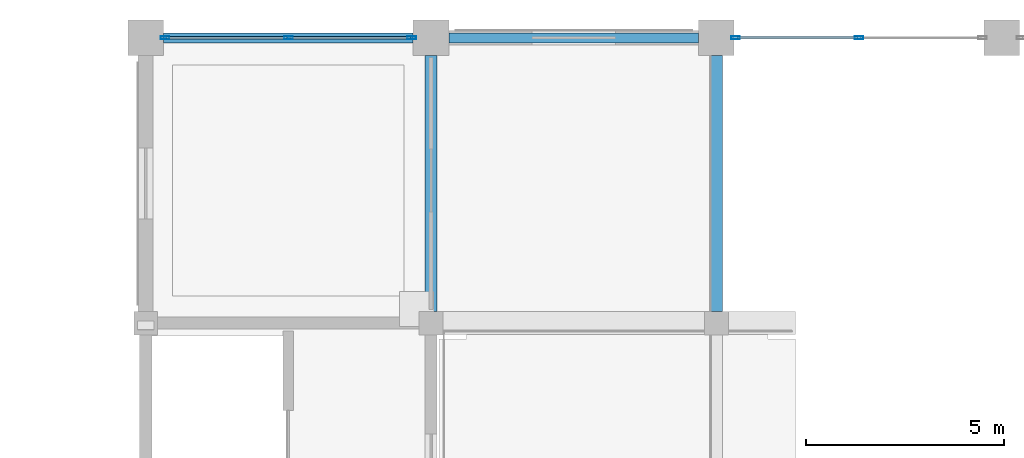
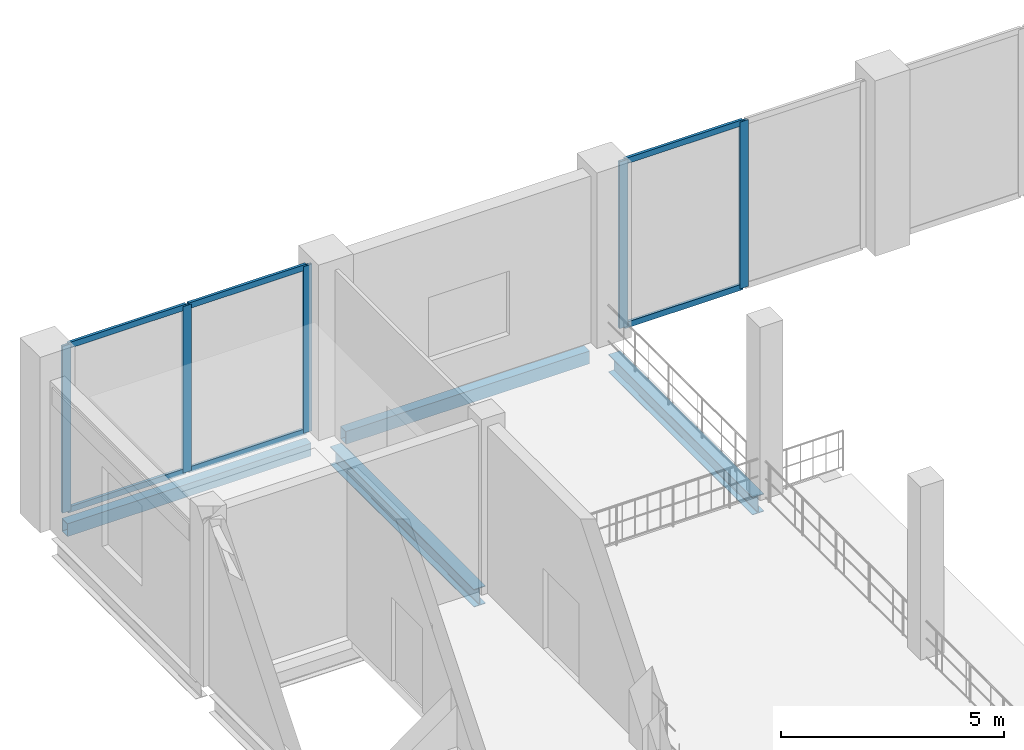
# One storey, part 48 of 120: 11 members, 4 beams, 2 elements without a shape of their own.
"""IFC4 building model written with IfcOpenShell, lengths in metres."""

from ifc_helpers import new_model, si_unit, direction, frame, origin, origin_2d, place, context, subcontext, project, spatial, hollow_rectangle, i_section, extrude, material, material_profile, profile_set, type_object, element, aggregate, save


model = new_model("IFC4")

# Units and contexts
model_context = context("Model", 3, precision=1e-05, world=origin(), true_north=direction((0.0, 1.0)))
body_context = subcontext(model_context, "Body", "Model", "MODEL_VIEW")
ifc_project = project(units=[si_unit("LENGTHUNIT", "METRE"), si_unit("AREAUNIT", "SQUARE_METRE"), si_unit("VOLUMEUNIT", "CUBIC_METRE"), si_unit("PLANEANGLEUNIT", "RADIAN"), si_unit("MASSUNIT", "GRAM", prefix="KILO")], contexts=[model_context])

# Site, building, storey
site_placement = place(None, origin())
site = spatial("IfcSite", under=ifc_project, at=site_placement, CompositionType="ELEMENT")
building_placement = place(site_placement, origin())
building = spatial("IfcBuilding", under=site, at=building_placement, Name="Vesperath Aquatics Centre", CompositionType="ELEMENT")
storey_placement = place(building_placement, frame((0.0, 0.0, 10.199951171875)))
storey = spatial("IfcBuildingStorey", under=building, at=storey_placement, Name="L02", CompositionType="ELEMENT", Elevation=10.199951171875)

# Beams
ifc_material_1 = material(Name="Steel Q355C", Category="steel")
ifc_material_profile_1 = material_profile(ifc_material_1, i_section(OverallWidth=0.300048828125, OverallDepth=0.488037109375, WebThickness=0.010986328125, FlangeThickness=0.01806640625, FilletRadius=0.02587890625, at=origin_2d()), Name="HM 488x300x11x18")
ifc_profile_set_1 = profile_set([ifc_material_profile_1], Name="Steel Q355C")
beam_type_1 = type_object("IfcBeamType", Name="BM-G10", PredefinedType="BEAM", material=ifc_profile_set_1)
for number, where, z_axis, x_axis, name in (
    (1, (14.39990234375, 108.300048828125, -0.50390625), (0.0, 1.0, 0.0), (-1.0, 0.0, 0.0), "Floor Girder B10 L02 3 R-S"),
    (2, (21.60009765625, 108.300048828125, -0.50390625), (0.0, 1.0, 0.0), (-1.0, 0.0, 0.0), "Floor Girder B10 L02 4 R-S"),
):
    element("IfcBeam", number, at=place(storey_placement, frame(where, z_axis=z_axis, x_axis=x_axis)), inside=storey, type_object=beam_type_1, Name=name, PredefinedType="BEAM", context=body_context, shape_type="SweptSolid", body=[
        extrude(i_section(OverallWidth=0.300048828125, OverallDepth=0.488037109375, WebThickness=0.010986328125, FlangeThickness=0.01806640625, FilletRadius=0.02587890625, at=origin_2d()), origin(), (0.0, 0.0, 1.0), 6.449951171875),
    ])
ifc_material_2 = material(Name="Steel Q355D", Category="steel")
ifc_material_profile_2 = material_profile(ifc_material_2, hollow_rectangle(XDim=0.25, YDim=0.35009765625, WallThickness=0.011962890625, at=origin_2d()), Name="RHS 350x250x12")
ifc_profile_set_2 = profile_set([ifc_material_profile_2], Name="Steel Q355D")
beam_type_2 = type_object("IfcBeamType", Name="BM-SP02", PredefinedType="SPANDREL", material=ifc_profile_set_2)
beam_1_placement = place(storey_placement, frame((7.64990234375, 115.199951171875, -0.43505859375), z_axis=(1.0, 0.0, 0.0), x_axis=(0.0, 1.0, 0.0)))
element("IfcBeam", 3, at=beam_1_placement, inside=storey, type_object=beam_type_2, Name="Floor Girder SP02 L02 S 2-3", PredefinedType="SPANDREL", context=body_context, shape_type="SweptSolid", body=[
    extrude(hollow_rectangle(XDim=0.25, YDim=0.35009765625, WallThickness=0.011962890625, at=origin_2d()), origin(), (0.0, 0.0, 1.0), 6.300048828125),
])
beam_2_placement = place(storey_placement, frame((14.85009765625, 115.199951171875, -0.43505859375), z_axis=(1.0, 0.0, 0.0), x_axis=(0.0, 1.0, 0.0)))
element("IfcBeam", 4, at=beam_2_placement, inside=storey, type_object=beam_type_2, Name="Floor Girder SP02 L02 S 3-4", PredefinedType="SPANDREL", context=body_context, shape_type="SweptSolid", body=[
    extrude(hollow_rectangle(XDim=0.25, YDim=0.35009765625, WallThickness=0.011962890625, at=origin_2d()), origin(), (0.0, 0.0, 1.0), 6.2998046875),
])

# Curtain wall, members
ifc_material_3 = material(Name="Thermally broken anodised bronze aluminium curtain wall", Category="aluminium")
curtain_wall_type = type_object("IfcCurtainWallType", Name="CW-02", PredefinedType="NOTDEFINED", material=ifc_material_3)
curtain_wall_1_placement = place(storey_placement, origin())
curtain_wall_1 = element("IfcCurtainWall", 5, at=curtain_wall_1_placement, inside=storey, type_object=curtain_wall_type, Name="Facade Curtain Wall CW02 L02_N_01_16", PredefinedType="NOTDEFINED")
ifc_material_4 = material(Name="Thermally broken anodised aluminium", Category="aluminium")
ifc_material_profile_3 = material_profile(ifc_material_4, hollow_rectangle(XDim=0.070068359375, YDim=0.219970703125, WallThickness=0.0048828125, at=origin_2d()), Name="CWM 70x220x5")
ifc_profile_set_3 = profile_set([ifc_material_profile_3], Name="Thermally broken anodised aluminium")
member_type_1 = type_object("IfcMemberType", Name="MB-CWM2", PredefinedType="MULLION", material=ifc_profile_set_3)
member_1_placement = place(storey_placement, frame((7.68505859375, 115.199951171875, 0.0), z_axis=(0.0, 0.0, 1.0), x_axis=(0.0, 1.0, 0.0)))
member_1 = element("IfcMember", 6, at=member_1_placement, type_object=member_type_1, Name="CW02 mullion 1", PredefinedType="MULLION", context=body_context, shape_type="SweptSolid", body=[
    extrude(hollow_rectangle(XDim=0.070068359375, YDim=0.219970703125, WallThickness=0.0048828125, at=origin_2d()), origin(), (0.0, 0.0, 1.0), 4.56005859375),
])
member_2_placement = place(storey_placement, frame((10.800048828125, 115.199951171875, 0.0), z_axis=(0.0, 0.0, 1.0), x_axis=(0.0, 1.0, 0.0)))
member_2 = element("IfcMember", 7, at=member_2_placement, type_object=member_type_1, Name="CW02 mullion 2", PredefinedType="MULLION", context=body_context, shape_type="SweptSolid", body=[
    extrude(hollow_rectangle(XDim=0.070068359375, YDim=0.219970703125, WallThickness=0.0048828125, at=origin_2d()), origin(), (0.0, 0.0, 1.0), 4.56005859375),
])
member_3_placement = place(storey_placement, frame((13.9150390625, 115.199951171875, 0.0), z_axis=(0.0, 0.0, 1.0), x_axis=(0.0, 1.0, 0.0)))
member_3 = element("IfcMember", 8, at=member_3_placement, type_object=member_type_1, Name="CW02 mullion 3", PredefinedType="MULLION", context=body_context, shape_type="SweptSolid", body=[
    extrude(hollow_rectangle(XDim=0.070068359375, YDim=0.219970703125, WallThickness=0.0048828125, at=origin_2d()), origin(), (0.0, 0.0, 1.0), 4.56005859375),
])

curtain_wall_2_placement = place(storey_placement, origin())
curtain_wall_2 = element("IfcCurtainWall", 9, at=curtain_wall_2_placement, inside=storey, type_object=curtain_wall_type, Name="Facade Curtain Wall CW02 L02_N_03_16", PredefinedType="NOTDEFINED")
member_4_placement = place(storey_placement, frame((22.0849609375, 115.199951171875, 0.0), z_axis=(0.0, 0.0, 1.0), x_axis=(0.0, 1.0, 0.0)))
member_4 = element("IfcMember", 10, at=member_4_placement, type_object=member_type_1, Name="CW02 mullion 1", PredefinedType="MULLION", context=body_context, shape_type="SweptSolid", body=[
    extrude(hollow_rectangle(XDim=0.070068359375, YDim=0.219970703125, WallThickness=0.0048828125, at=origin_2d()), origin(), (0.0, 0.0, 1.0), 4.56005859375),
])
member_5_placement = place(storey_placement, frame((25.199951171875, 115.199951171875, 0.0), z_axis=(0.0, 0.0, 1.0), x_axis=(0.0, 1.0, 0.0)))
member_5 = element("IfcMember", 11, at=member_5_placement, type_object=member_type_1, Name="CW02 mullion 2", PredefinedType="MULLION", context=body_context, shape_type="SweptSolid", body=[
    extrude(hollow_rectangle(XDim=0.070068359375, YDim=0.219970703125, WallThickness=0.0048828125, at=origin_2d()), origin(), (0.0, 0.0, 1.0), 4.56005859375),
])

# Member
ifc_material_profile_4 = material_profile(ifc_material_4, hollow_rectangle(XDim=0.070068359375, YDim=0.159912109375, WallThickness=0.0048828125, at=origin_2d()), Name="CWT 70x160x5")
ifc_profile_set_4 = profile_set([ifc_material_profile_4], Name="Thermally broken anodised aluminium")
member_type_2 = type_object("IfcMemberType", Name="MB-CWT2", PredefinedType="USERDEFINED", material=ifc_profile_set_4)
member_6_placement = place(storey_placement, frame((7.719970703125, 115.199951171875, 0.03515625), z_axis=(1.0, 0.0, 0.0), x_axis=(0.0, 1.0, 0.0)))
member_6 = element("IfcMember", 12, at=member_6_placement, type_object=member_type_2, Name="CW02 transom 1.1", ObjectType="TRANSOM", PredefinedType="USERDEFINED", context=body_context, shape_type="SweptSolid", body=[
    extrude(hollow_rectangle(XDim=0.070068359375, YDim=0.159912109375, WallThickness=0.0048828125, at=origin_2d()), origin(), (0.0, 0.0, 1.0), 3.044921875),
])

member_7_placement = place(storey_placement, frame((7.719970703125, 115.199951171875, 4.525146484375), z_axis=(1.0, 0.0, 0.0), x_axis=(0.0, 1.0, 0.0)))
member_7 = element("IfcMember", 13, at=member_7_placement, type_object=member_type_2, Name="CW02 transom 1.2", ObjectType="TRANSOM", PredefinedType="USERDEFINED", context=body_context, shape_type="SweptSolid", body=[
    extrude(hollow_rectangle(XDim=0.070068359375, YDim=0.159912109375, WallThickness=0.0048828125, at=origin_2d()), origin(), (0.0, 0.0, 1.0), 3.044921875),
])

member_8_placement = place(storey_placement, frame((10.8349609375, 115.199951171875, 0.03515625), z_axis=(1.0, 0.0, 0.0), x_axis=(0.0, 1.0, 0.0)))
member_8 = element("IfcMember", 14, at=member_8_placement, type_object=member_type_2, Name="CW02 transom 2.1", ObjectType="TRANSOM", PredefinedType="USERDEFINED", context=body_context, shape_type="SweptSolid", body=[
    extrude(hollow_rectangle(XDim=0.070068359375, YDim=0.159912109375, WallThickness=0.0048828125, at=origin_2d()), origin(), (0.0, 0.0, 1.0), 3.044921875),
])

member_9_placement = place(storey_placement, frame((10.8349609375, 115.199951171875, 4.525146484375), z_axis=(1.0, 0.0, 0.0), x_axis=(0.0, 1.0, 0.0)))
member_9 = element("IfcMember", 15, at=member_9_placement, type_object=member_type_2, Name="CW02 transom 2.2", ObjectType="TRANSOM", PredefinedType="USERDEFINED", context=body_context, shape_type="SweptSolid", body=[
    extrude(hollow_rectangle(XDim=0.070068359375, YDim=0.159912109375, WallThickness=0.0048828125, at=origin_2d()), origin(), (0.0, 0.0, 1.0), 3.044921875),
])

aggregate(curtain_wall_1, [member_1, member_2, member_3, member_6, member_7, member_8, member_9])

member_10_placement = place(storey_placement, frame((22.1201171875, 115.199951171875, 0.03515625), z_axis=(1.0, 0.0, 0.0), x_axis=(0.0, 1.0, 0.0)))
member_10 = element("IfcMember", 16, at=member_10_placement, type_object=member_type_2, Name="CW02 transom 1.1", ObjectType="TRANSOM", PredefinedType="USERDEFINED", context=body_context, shape_type="SweptSolid", body=[
    extrude(hollow_rectangle(XDim=0.070068359375, YDim=0.159912109375, WallThickness=0.0048828125, at=origin_2d()), origin(), (0.0, 0.0, 1.0), 3.044921875),
])

member_11_placement = place(storey_placement, frame((22.1201171875, 115.199951171875, 4.525146484375), z_axis=(1.0, 0.0, 0.0), x_axis=(0.0, 1.0, 0.0)))
member_11 = element("IfcMember", 17, at=member_11_placement, type_object=member_type_2, Name="CW02 transom 1.2", ObjectType="TRANSOM", PredefinedType="USERDEFINED", context=body_context, shape_type="SweptSolid", body=[
    extrude(hollow_rectangle(XDim=0.070068359375, YDim=0.159912109375, WallThickness=0.0048828125, at=origin_2d()), origin(), (0.0, 0.0, 1.0), 3.044921875),
])

aggregate(curtain_wall_2, [member_4, member_5, member_10, member_11])

save(model, "model.ifc")
